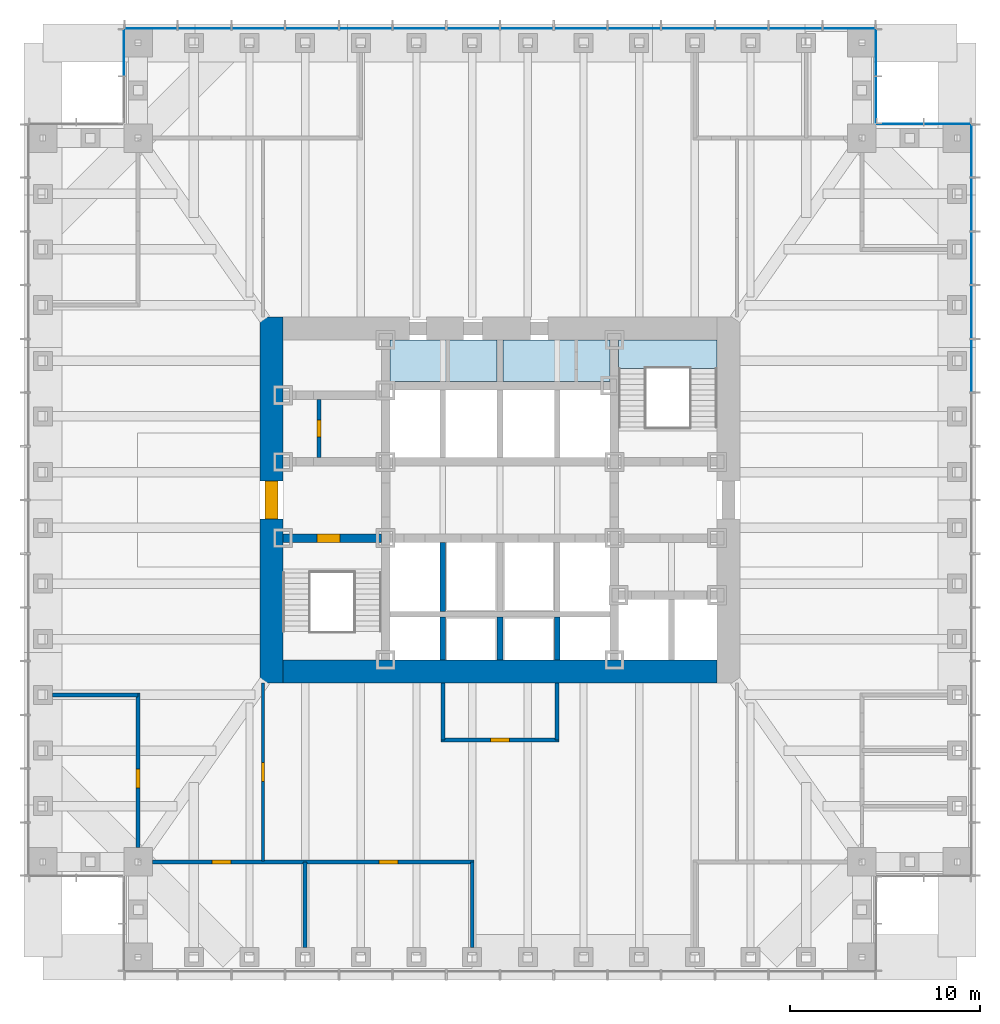
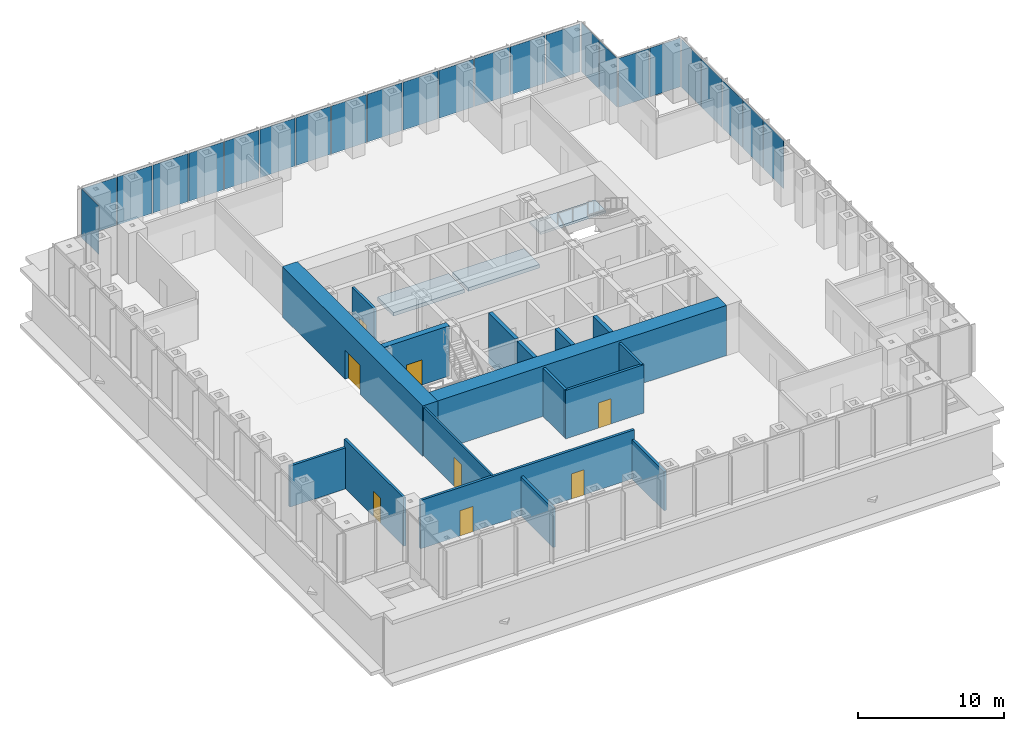
# One storey, part 8 of 16: 24 plates, 17 walls, 8 doors, 3 slabs, 8 openings, 6 elements without a shape of their own.
"""IFC4 building model written with IfcOpenShell, lengths in metres."""

from ifc_helpers import new_model, si_unit, direction, frame, frame_2d, origin, origin_2d, place, context, subcontext, project, spatial, polyline, rectangle, outline, extrude, material, layer, layer_set, type_object, element, fill, aggregate, save


model = new_model("IFC4")

# Units and contexts
model_context = context("Model", 3, precision=1e-05, world=origin(), true_north=direction((0.0, 1.0)))
body_context = subcontext(model_context, "Body", "Model", "MODEL_VIEW")
ifc_project = project(units=[si_unit("LENGTHUNIT", "METRE"), si_unit("AREAUNIT", "SQUARE_METRE"), si_unit("VOLUMEUNIT", "CUBIC_METRE"), si_unit("PLANEANGLEUNIT", "RADIAN"), si_unit("MASSUNIT", "GRAM", prefix="KILO")], contexts=[model_context])

# Site, building, storey
site_placement = place(None, origin())
site = spatial("IfcSite", under=ifc_project, at=site_placement, CompositionType="ELEMENT")
building_placement = place(site_placement, origin())
building = spatial("IfcBuilding", under=site, at=building_placement, Name="Daluyong Arena Tower", CompositionType="ELEMENT")
storey_placement = place(building_placement, frame((0.0, 0.0, 34.89990234375)))
storey = spatial("IfcBuildingStorey", under=building, at=storey_placement, Name="L06", CompositionType="ELEMENT", Elevation=34.89990234375)

# Curtain wall, plates
ifc_material_1 = material(Name="Bronze anodised aluminium and glass", Category="aluminium")
curtain_wall_type_1 = type_object("IfcCurtainWallType", Name="Curtain wall CW1", PredefinedType="USERDEFINED", material=ifc_material_1)
curtain_wall_1_placement = place(storey_placement, origin())
curtain_wall_1 = element("IfcCurtainWall", 1, at=curtain_wall_1_placement, inside=storey, type_object=curtain_wall_type_1, Name="curtain wall L06 E", ObjectType="UNITISED CURTAIN WALL", PredefinedType="USERDEFINED")
ifc_material_2 = material(Name="Tinted double glazed unit", Category="glass")
ifc_layer_1 = layer(ifc_material_2, 0.031982421875)
ifc_layer_set_1 = layer_set([ifc_layer_1], Name="Tinted double glazed unit")
plate_type_1 = type_object("IfcPlateType", Name="CW1 panel 32", PredefinedType="CURTAIN_PANEL", material=ifc_layer_set_1)
plate_1_placement = place(storey_placement, frame((80.75, 87.053466796875, 0.0), z_axis=(0.0, 0.0, 1.0), x_axis=(0.0, 1.0, 0.0)))
plate_1 = element("IfcPlate", 2, at=plate_1_placement, type_object=plate_type_1, Name="curtain wall L06 E panel 10", PredefinedType="CURTAIN_PANEL", context=body_context, shape_type="SweptSolid", body=[
    extrude(rectangle(XDim=2.741455078125, YDim=0.031982421875, at=origin_2d()), origin(), (0.0, 0.0, 1.0), 4.0),
])
plate_2_placement = place(storey_placement, frame((80.75, 89.875, 0.0), z_axis=(0.0, 0.0, 1.0), x_axis=(0.0, 1.0, 0.0)))
plate_2 = element("IfcPlate", 3, at=plate_2_placement, type_object=plate_type_1, Name="curtain wall L06 E panel 11", PredefinedType="CURTAIN_PANEL", context=body_context, shape_type="SweptSolid", body=[
    extrude(rectangle(XDim=2.741455078125, YDim=0.031982421875, at=origin_2d()), origin(), (0.0, 0.0, 1.0), 4.0),
])
plate_3_placement = place(storey_placement, frame((80.75, 92.696533203125, 0.0), z_axis=(0.0, 0.0, 1.0), x_axis=(0.0, 1.0, 0.0)))
plate_3 = element("IfcPlate", 4, at=plate_3_placement, type_object=plate_type_1, Name="curtain wall L06 E panel 12", PredefinedType="CURTAIN_PANEL", context=body_context, shape_type="SweptSolid", body=[
    extrude(rectangle(XDim=2.741455078125, YDim=0.031982421875, at=origin_2d()), origin(), (0.0, 0.0, 1.0), 4.0),
])
plate_4_placement = place(storey_placement, frame((80.75, 95.517822265625, 0.0), z_axis=(0.0, 0.0, 1.0), x_axis=(0.0, 1.0, 0.0)))
plate_4 = element("IfcPlate", 5, at=plate_4_placement, type_object=plate_type_1, Name="curtain wall L06 E panel 13", PredefinedType="CURTAIN_PANEL", context=body_context, shape_type="SweptSolid", body=[
    extrude(rectangle(XDim=2.741455078125, YDim=0.031982421875, at=origin_2d()), origin(), (0.0, 0.0, 1.0), 4.0),
])
plate_5_placement = place(storey_placement, frame((80.75, 98.3193359375, 0.0), z_axis=(0.0, 0.0, 1.0), x_axis=(0.0, 1.0, 0.0)))
plate_5 = element("IfcPlate", 6, at=plate_5_placement, type_object=plate_type_1, Name="curtain wall L06 E panel 14", PredefinedType="CURTAIN_PANEL", context=body_context, shape_type="SweptSolid", body=[
    extrude(rectangle(XDim=2.701416015625, YDim=0.031982421875, at=origin_2d()), origin(), (0.0, 0.0, 1.0), 4.0),
])
aggregate(curtain_wall_1, [plate_1, plate_2, plate_3, plate_4, plate_5])

curtain_wall_2_placement = place(storey_placement, origin())
curtain_wall_2 = element("IfcCurtainWall", 7, at=curtain_wall_2_placement, inside=storey, type_object=curtain_wall_type_1, Name="curtain wall L06 N", ObjectType="UNITISED CURTAIN WALL", PredefinedType="USERDEFINED")
plate_6_placement = place(storey_placement, frame((74.3193359375, 104.75, 0.0), z_axis=(0.0, 0.0, 1.0), x_axis=(-1.0, 0.0, 0.0)))
plate_6 = element("IfcPlate", 8, at=plate_6_placement, type_object=plate_type_1, Name="curtain wall L06 N panel 1", PredefinedType="CURTAIN_PANEL", context=body_context, shape_type="SweptSolid", body=[
    extrude(rectangle(XDim=2.701416015625, YDim=0.031982421875, at=origin_2d()), origin(), (0.0, 0.0, 1.0), 4.0),
])
plate_7_placement = place(storey_placement, frame((71.517822265625, 104.75, 0.0), z_axis=(0.0, 0.0, 1.0), x_axis=(-1.0, 0.0, 0.0)))
plate_7 = element("IfcPlate", 9, at=plate_7_placement, type_object=plate_type_1, Name="curtain wall L06 N panel 2", PredefinedType="CURTAIN_PANEL", context=body_context, shape_type="SweptSolid", body=[
    extrude(rectangle(XDim=2.741455078125, YDim=0.031982421875, at=origin_2d()), origin(), (0.0, 0.0, 1.0), 4.0),
])
plate_8_placement = place(storey_placement, frame((68.696533203125, 104.75, 0.0), z_axis=(0.0, 0.0, 1.0), x_axis=(-1.0, 0.0, 0.0)))
plate_8 = element("IfcPlate", 10, at=plate_8_placement, type_object=plate_type_1, Name="curtain wall L06 N panel 3", PredefinedType="CURTAIN_PANEL", context=body_context, shape_type="SweptSolid", body=[
    extrude(rectangle(XDim=2.741455078125, YDim=0.031982421875, at=origin_2d()), origin(), (0.0, 0.0, 1.0), 4.0),
])
plate_9_placement = place(storey_placement, frame((65.875, 104.75, 0.0), z_axis=(0.0, 0.0, 1.0), x_axis=(-1.0, 0.0, 0.0)))
plate_9 = element("IfcPlate", 11, at=plate_9_placement, type_object=plate_type_1, Name="curtain wall L06 N panel 4", PredefinedType="CURTAIN_PANEL", context=body_context, shape_type="SweptSolid", body=[
    extrude(rectangle(XDim=2.741455078125, YDim=0.031982421875, at=origin_2d()), origin(), (0.0, 0.0, 1.0), 4.0),
])
plate_10_placement = place(storey_placement, frame((63.053466796875, 104.75, 0.0), z_axis=(0.0, 0.0, 1.0), x_axis=(-1.0, 0.0, 0.0)))
plate_10 = element("IfcPlate", 12, at=plate_10_placement, type_object=plate_type_1, Name="curtain wall L06 N panel 5", PredefinedType="CURTAIN_PANEL", context=body_context, shape_type="SweptSolid", body=[
    extrude(rectangle(XDim=2.741455078125, YDim=0.031982421875, at=origin_2d()), origin(), (0.0, 0.0, 1.0), 4.0),
])
plate_11_placement = place(storey_placement, frame((60.232177734375, 104.75, 0.0), z_axis=(0.0, 0.0, 1.0), x_axis=(-1.0, 0.0, 0.0)))
plate_11 = element("IfcPlate", 13, at=plate_11_placement, type_object=plate_type_1, Name="curtain wall L06 N panel 6", PredefinedType="CURTAIN_PANEL", context=body_context, shape_type="SweptSolid", body=[
    extrude(rectangle(XDim=2.741455078125, YDim=0.031982421875, at=origin_2d()), origin(), (0.0, 0.0, 1.0), 4.0),
])
plate_12_placement = place(storey_placement, frame((57.41064453125, 104.75, 0.0), z_axis=(0.0, 0.0, 1.0), x_axis=(-1.0, 0.0, 0.0)))
plate_12 = element("IfcPlate", 14, at=plate_12_placement, type_object=plate_type_1, Name="curtain wall L06 N panel 7", PredefinedType="CURTAIN_PANEL", context=body_context, shape_type="SweptSolid", body=[
    extrude(rectangle(XDim=2.741455078125, YDim=0.031982421875, at=origin_2d()), origin(), (0.0, 0.0, 1.0), 4.0),
])
plate_13_placement = place(storey_placement, frame((54.58935546875, 104.75, 0.0), z_axis=(0.0, 0.0, 1.0), x_axis=(-1.0, 0.0, 0.0)))
plate_13 = element("IfcPlate", 15, at=plate_13_placement, type_object=plate_type_1, Name="curtain wall L06 N panel 8", PredefinedType="CURTAIN_PANEL", context=body_context, shape_type="SweptSolid", body=[
    extrude(rectangle(XDim=2.741455078125, YDim=0.031982421875, at=origin_2d()), origin(), (0.0, 0.0, 1.0), 4.0),
])
plate_14_placement = place(storey_placement, frame((51.767822265625, 104.75, 0.0), z_axis=(0.0, 0.0, 1.0), x_axis=(-1.0, 0.0, 0.0)))
plate_14 = element("IfcPlate", 16, at=plate_14_placement, type_object=plate_type_1, Name="curtain wall L06 N panel 9", PredefinedType="CURTAIN_PANEL", context=body_context, shape_type="SweptSolid", body=[
    extrude(rectangle(XDim=2.741455078125, YDim=0.031982421875, at=origin_2d()), origin(), (0.0, 0.0, 1.0), 4.0),
])
plate_15_placement = place(storey_placement, frame((48.946533203125, 104.75, 0.0), z_axis=(0.0, 0.0, 1.0), x_axis=(-1.0, 0.0, 0.0)))
plate_15 = element("IfcPlate", 17, at=plate_15_placement, type_object=plate_type_1, Name="curtain wall L06 N panel 10", PredefinedType="CURTAIN_PANEL", context=body_context, shape_type="SweptSolid", body=[
    extrude(rectangle(XDim=2.741455078125, YDim=0.031982421875, at=origin_2d()), origin(), (0.0, 0.0, 1.0), 4.0),
])
plate_16_placement = place(storey_placement, frame((46.125, 104.75, 0.0), z_axis=(0.0, 0.0, 1.0), x_axis=(-1.0, 0.0, 0.0)))
plate_16 = element("IfcPlate", 18, at=plate_16_placement, type_object=plate_type_1, Name="curtain wall L06 N panel 11", PredefinedType="CURTAIN_PANEL", context=body_context, shape_type="SweptSolid", body=[
    extrude(rectangle(XDim=2.741455078125, YDim=0.031982421875, at=origin_2d()), origin(), (0.0, 0.0, 1.0), 4.0),
])
plate_17_placement = place(storey_placement, frame((43.303466796875, 104.75, 0.0), z_axis=(0.0, 0.0, 1.0), x_axis=(-1.0, 0.0, 0.0)))
plate_17 = element("IfcPlate", 19, at=plate_17_placement, type_object=plate_type_1, Name="curtain wall L06 N panel 12", PredefinedType="CURTAIN_PANEL", context=body_context, shape_type="SweptSolid", body=[
    extrude(rectangle(XDim=2.741455078125, YDim=0.031982421875, at=origin_2d()), origin(), (0.0, 0.0, 1.0), 4.0),
])
plate_18_placement = place(storey_placement, frame((40.482177734375, 104.75, 0.0), z_axis=(0.0, 0.0, 1.0), x_axis=(-1.0, 0.0, 0.0)))
plate_18 = element("IfcPlate", 20, at=plate_18_placement, type_object=plate_type_1, Name="curtain wall L06 N panel 13", PredefinedType="CURTAIN_PANEL", context=body_context, shape_type="SweptSolid", body=[
    extrude(rectangle(XDim=2.741455078125, YDim=0.031982421875, at=origin_2d()), origin(), (0.0, 0.0, 1.0), 4.0),
])
plate_19_placement = place(storey_placement, frame((37.6806640625, 104.75, 0.0), z_axis=(0.0, 0.0, 1.0), x_axis=(-1.0, 0.0, 0.0)))
plate_19 = element("IfcPlate", 21, at=plate_19_placement, type_object=plate_type_1, Name="curtain wall L06 N panel 14", PredefinedType="CURTAIN_PANEL", context=body_context, shape_type="SweptSolid", body=[
    extrude(rectangle(XDim=2.701416015625, YDim=0.031982421875, at=origin_2d()), origin(), (0.0, 0.0, 1.0), 4.0),
])
aggregate(curtain_wall_2, [plate_6, plate_7, plate_8, plate_9, plate_10, plate_11, plate_12, plate_13, plate_14, plate_15, plate_16, plate_17, plate_18, plate_19])

ifc_material_3 = material(Name="Bronze anodised aluminium and glass", Category="aluminium")
curtain_wall_type_2 = type_object("IfcCurtainWallType", Name="Curtain wall CW7", PredefinedType="USERDEFINED", material=ifc_material_3)
curtain_wall_3_placement = place(storey_placement, origin())
curtain_wall_3 = element("IfcCurtainWall", 22, at=curtain_wall_3_placement, inside=storey, type_object=curtain_wall_type_2, Name="curtain wall L06 NE-N", ObjectType="UNITISED CURTAIN WALL", PredefinedType="USERDEFINED")
ifc_material_4 = material(Name="Tinted double glazed unit", Category="glass")
ifc_layer_2 = layer(ifc_material_4, 0.028076171875)
ifc_layer_set_2 = layer_set([ifc_layer_2], Name="Tinted double glazed unit")
plate_type_2 = type_object("IfcPlateType", Name="CW7 panel 28", PredefinedType="CURTAIN_PANEL", material=ifc_layer_set_2)
plate_20_placement = place(storey_placement, frame((79.485107421875, 99.75, 0.0), z_axis=(0.0, 0.0, 1.0), x_axis=(-1.0, 0.0, 0.0)))
plate_20 = element("IfcPlate", 23, at=plate_20_placement, type_object=plate_type_2, Name="curtain wall L06 NE-N panel 1", PredefinedType="CURTAIN_PANEL", context=body_context, shape_type="SweptSolid", body=[
    extrude(rectangle(XDim=2.409912109375, YDim=0.028076171875, at=origin_2d()), origin(), (0.0, 0.0, 1.0), 4.080078125),
])
plate_21_placement = place(storey_placement, frame((77.014892578125, 99.75, 0.0), z_axis=(0.0, 0.0, 1.0), x_axis=(-1.0, 0.0, 0.0)))
plate_21 = element("IfcPlate", 24, at=plate_21_placement, type_object=plate_type_2, Name="curtain wall L06 NE-N panel 2", PredefinedType="CURTAIN_PANEL", context=body_context, shape_type="SweptSolid", body=[
    extrude(rectangle(XDim=2.409912109375, YDim=0.028076171875, at=origin_2d()), origin(), (0.0, 0.0, 1.0), 4.080078125),
])
aggregate(curtain_wall_3, [plate_20, plate_21])

curtain_wall_4_placement = place(storey_placement, origin())
curtain_wall_4 = element("IfcCurtainWall", 25, at=curtain_wall_4_placement, inside=storey, type_object=curtain_wall_type_2, Name="curtain wall L06 NE-E", ObjectType="UNITISED CURTAIN WALL", PredefinedType="USERDEFINED")
plate_22_placement = place(storey_placement, frame((75.75, 101.014892578125, 0.0), z_axis=(0.0, 0.0, 1.0), x_axis=(0.0, 1.0, 0.0)))
plate_22 = element("IfcPlate", 26, at=plate_22_placement, type_object=plate_type_2, Name="curtain wall L06 NE-E panel 1", PredefinedType="CURTAIN_PANEL", context=body_context, shape_type="SweptSolid", body=[
    extrude(rectangle(XDim=2.409912109375, YDim=0.028076171875, at=origin_2d()), origin(), (0.0, 0.0, 1.0), 4.080078125),
])
plate_23_placement = place(storey_placement, frame((75.75, 103.485107421875, 0.0), z_axis=(0.0, 0.0, 1.0), x_axis=(0.0, 1.0, 0.0)))
plate_23 = element("IfcPlate", 27, at=plate_23_placement, type_object=plate_type_2, Name="curtain wall L06 NE-E panel 2", PredefinedType="CURTAIN_PANEL", context=body_context, shape_type="SweptSolid", body=[
    extrude(rectangle(XDim=2.409912109375, YDim=0.028076171875, at=origin_2d()), origin(), (0.0, 0.0, 1.0), 4.080078125),
])
aggregate(curtain_wall_4, [plate_22, plate_23])

# Curtain wall, plate
curtain_wall_5_placement = place(storey_placement, origin())
curtain_wall_5 = element("IfcCurtainWall", 28, at=curtain_wall_5_placement, inside=storey, type_object=curtain_wall_type_2, Name="curtain wall L06 NW-W", ObjectType="UNITISED CURTAIN WALL", PredefinedType="USERDEFINED")
plate_24_placement = place(storey_placement, frame((36.25, 103.485107421875, 0.0), z_axis=(0.0, 0.0, 1.0), x_axis=(0.0, -1.0, 0.0)))
plate_24 = element("IfcPlate", 29, at=plate_24_placement, type_object=plate_type_2, Name="curtain wall L06 NW-W panel 1", PredefinedType="CURTAIN_PANEL", context=body_context, shape_type="SweptSolid", body=[
    extrude(rectangle(XDim=2.409912109375, YDim=0.028076171875, at=origin_2d()), origin(), (0.0, 0.0, 1.0), 4.080078125),
])
aggregate(curtain_wall_5, [plate_24])

# Stair, slab
ifc_material_5 = material(Name="Concrete fc' 35 MPa", Category="concrete")
stair_type = type_object("IfcStairType", Name="Core exit stair", PredefinedType="HALF_TURN_STAIR", material=ifc_material_5)
stair_placement = place(storey_placement, origin())
stair = element("IfcStair", 30, at=stair_placement, inside=storey, type_object=stair_type, Name="exit stair B L06", PredefinedType="HALF_TURN_STAIR")
ifc_material_6 = material(Name="Concrete fc' 35 MPa", Category="concrete")
ifc_layer_3 = layer(ifc_material_6, 0.199951171875)
ifc_layer_set_3 = layer_set([ifc_layer_3], Name="Concrete fc' 35 MPa")
slab_type_1 = type_object("IfcSlabType", Name="Stair landing 200", PredefinedType="LANDING", material=ifc_layer_set_3)
slab_1_placement = place(storey_placement, frame((0.0, 0.0, 1.900146484375)))
slab_1 = element("IfcSlab", 31, at=slab_1_placement, type_object=slab_type_1, Name="STB landing 1", PredefinedType="LANDING", context=body_context, shape_type="SweptSolid", body=[
    extrude(outline(polyline([(62.22509765625, 86.905029296875), (67.39990234375, 86.905029296875), (67.39990234375, 88.39990234375), (62.22509765625, 88.39990234375), (62.22509765625, 86.905029296875)])), origin(), (0.0, 0.0, 1.0), 0.199951171875),
])
aggregate(stair, [slab_1])

# Slabs
ifc_material_7 = material(Name="Concrete fc' 35 MPa", Category="concrete")
ifc_layer_4 = layer(ifc_material_7, 0.300048828125)
ifc_layer_set_4 = layer_set([ifc_layer_4], Name="Concrete fc' 35 MPa")
slab_type_2 = type_object("IfcSlabType", Name="Transfer floor slab 300", PredefinedType="FLOOR", material=ifc_layer_set_4)
slab_2_placement = place(storey_placement, frame((0.0, 0.0, -0.2998046875)))
element("IfcSlab", 32, at=slab_2_placement, inside=storey, type_object=slab_type_2, Name="floor L06 part 5", PredefinedType="FLOOR", context=body_context, shape_type="SweptSolid", body=[
    extrude(outline(polyline([(50.22509765625, 88.39990234375), (50.22509765625, 86.22509765625), (55.85009765625, 86.22509765625), (55.85009765625, 88.39990234375), (50.22509765625, 88.39990234375)])), origin(), (0.0, 0.0, 1.0), 0.2998046875),
])
slab_3_placement = place(storey_placement, frame((0.0, 0.0, -0.2998046875)))
element("IfcSlab", 33, at=slab_3_placement, inside=storey, type_object=slab_type_2, Name="floor L06 part 12", PredefinedType="FLOOR", context=body_context, shape_type="SweptSolid", body=[
    extrude(outline(polyline([(56.14990234375, 86.22509765625), (61.77490234375, 86.22509765625), (61.77490234375, 88.39990234375), (56.14990234375, 88.39990234375), (56.14990234375, 86.22509765625)])), origin(), (0.0, 0.0, 1.0), 0.2998046875),
])

# Wall, opening, door
ifc_material_8 = material(Name="Concrete fc' 45 MPa", Category="concrete")
ifc_layer_5 = layer(ifc_material_8, 0.449951171875)
ifc_layer_set_5 = layer_set([ifc_layer_5], Name="Concrete fc' 45 MPa")
wall_type_1 = type_object("IfcWallType", Name="Core inner wall 450", PredefinedType="SHEAR", material=ifc_layer_set_5)
wall_1_placement = place(storey_placement, frame((44.60009765625, 78.0, 0.0), z_axis=(0.0, 0.0, 1.0), x_axis=(1.0, 0.0, 0.0)))
wall_1 = element("IfcWall", 34, at=wall_1_placement, inside=storey, type_object=wall_type_1, Name="core inner wall at L06", PredefinedType="SHEAR", context=body_context, shape_type="SweptSolid", body=[
    extrude(rectangle(XDim=5.1748046875, YDim=0.449951171875, at=frame_2d((2.58740234375, 0.0))), origin(), (0.0, 0.0, 1.0), 4.2001953125),
])
opening_1_placement = place(wall_1_placement, frame((1.800048828125, 0.0, 0.0)))
opening_1 = element("IfcOpeningElement", 35, at=opening_1_placement, cuts=wall_1, Name="Opening 06008", PredefinedType="OPENING", context=body_context, shape_type="SweptSolid", body=[
    extrude(rectangle(XDim=1.199951171875, YDim=2.10009765625, at=frame_2d((0.60009765625, 1.050048828125))), frame((0.0, 0.23486328125, 0.0), z_axis=(0.0, -1.0, 0.0), x_axis=(1.0, 0.0, 0.0)), (0.0, 0.0, 1.0), 0.469970703125),
])
ifc_material_9 = material(Name="Steel door, fire rated", Category="steel")
door_type_1 = type_object("IfcDoorType", Name="Stair door 1200", OperationType="SINGLE_SWING_LEFT", PredefinedType="DOOR", material=ifc_material_9)
door_1_placement = place(opening_1_placement, origin())
door_1 = element("IfcDoor", 36, at=door_1_placement, inside=storey, type_object=door_type_1, Name="stair A door 06008", OperationType="SINGLE_SWING_LEFT", OverallHeight=2.10009765625, OverallWidth=1.199951171875, PredefinedType="DOOR", context=body_context, shape_type="SweptSolid", body=[
    extrude(rectangle(XDim=1.199951171875, YDim=2.10009765625, at=frame_2d((0.60009765625, 1.050048828125))), frame((0.0, 0.224609375, 0.0), z_axis=(0.0, -1.0, 0.0), x_axis=(1.0, 0.0, 0.0)), (0.0, 0.0, 1.0), 0.449462890625),
])
fill(opening_1, door_1)

ifc_material_10 = material(Name="Concrete fc' 60 MPa", Category="concrete")
ifc_layer_6 = layer(ifc_material_10, 1.199951171875)
ifc_layer_set_6 = layer_set([ifc_layer_6], Name="Concrete fc' 60 MPa")
wall_type_2 = type_object("IfcWallType", Name="Core wall 1200", PredefinedType="SHEAR", material=ifc_layer_set_6)
wall_2_placement = place(storey_placement, frame((44.0, 70.39990234375, 0.0), z_axis=(0.0, 0.0, 1.0), x_axis=(0.0, 1.0, 0.0)))
wall_2 = element("IfcWall", 37, at=wall_2_placement, inside=storey, type_object=wall_type_2, Name="core wall at L06", PredefinedType="SHEAR", context=body_context, shape_type="SweptSolid", body=[
    extrude(rectangle(XDim=19.2001953125, YDim=1.199951171875, at=frame_2d((9.60009765625, 0.0))), origin(), (0.0, 0.0, 1.0), 4.2001953125),
])
opening_2_placement = place(wall_2_placement, frame((8.60009765625, 0.0, 0.0)))
opening_2 = element("IfcOpeningElement", 38, at=opening_2_placement, cuts=wall_2, Name="Opening 06010", PredefinedType="OPENING", context=body_context, shape_type="SweptSolid", body=[
    extrude(rectangle(XDim=2.0, YDim=2.39990234375, at=frame_2d((1.0, 1.199951171875))), frame((0.0, 0.60986328125, 0.0), z_axis=(0.0, -1.0, 0.0), x_axis=(1.0, 0.0, 0.0)), (0.0, 0.0, 1.0), 1.219970703125),
])
ifc_material_11 = material(Name="Steel door, fire rated", Category="steel")
door_type_2 = type_object("IfcDoorType", Name="Core lobby double door 2000", OperationType="DOUBLE_DOOR_SINGLE_SWING", PredefinedType="DOOR", material=ifc_material_11)
door_2_placement = place(opening_2_placement, origin())
door_2 = element("IfcDoor", 39, at=door_2_placement, inside=storey, type_object=door_type_2, Name="core lobby door west 06010", OperationType="DOUBLE_DOOR_SINGLE_SWING", OverallHeight=2.39990234375, OverallWidth=2.0, PredefinedType="DOOR", context=body_context, shape_type="SweptSolid", body=[
    extrude(rectangle(XDim=2.0, YDim=2.39990234375, at=frame_2d((1.0, 1.199951171875))), frame((0.0, 0.35009765625, 0.0), z_axis=(0.0, -1.0, 0.0), x_axis=(1.0, 0.0, 0.0)), (0.0, 0.0, 1.0), 0.699951171875),
])
fill(opening_2, door_2)

# Wall
wall_3_placement = place(storey_placement, frame((44.60009765625, 71.0, 0.0), z_axis=(0.0, 0.0, 1.0), x_axis=(1.0, 0.0, 0.0)))
element("IfcWall", 40, at=wall_3_placement, inside=storey, type_object=wall_type_2, Name="core wall at L06", PredefinedType="SHEAR", context=body_context, shape_type="SweptSolid", body=[
    extrude(rectangle(XDim=22.7998046875, YDim=1.199951171875, at=frame_2d((11.39990234375, 0.0))), origin(), (0.0, 0.0, 1.0), 4.2001953125),
])

# Wall, opening, door
ifc_material_12 = material(Name="Concrete block partition, fire rated", Category="concrete")
ifc_layer_7 = layer(ifc_material_12, 0.199951171875)
ifc_layer_set_7 = layer_set([ifc_layer_7], Name="Concrete block partition, fire rated")
wall_type_3 = type_object("IfcWallType", Name="Fire-rated partition 200", PredefinedType="PARTITIONING", material=ifc_layer_set_7)
wall_4_placement = place(storey_placement, frame((46.5, 82.22509765625, 0.0), z_axis=(0.0, 0.0, 1.0), x_axis=(0.0, 1.0, 0.0)))
wall_4 = element("IfcWall", 41, at=wall_4_placement, inside=storey, type_object=wall_type_3, Name="toilet lobby partition at L06", PredefinedType="PARTITIONING", context=body_context, shape_type="SweptSolid", body=[
    extrude(rectangle(XDim=3.0498046875, YDim=0.199951171875, at=frame_2d((1.52490234375, 0.0))), origin(), (0.0, 0.0, 1.0), 4.0400390625),
])
opening_3_placement = place(wall_4_placement, frame((1.074951171875, 0.0, 0.0)))
opening_3 = element("IfcOpeningElement", 42, at=opening_3_placement, cuts=wall_4, Name="Opening 06002", PredefinedType="OPENING", context=body_context, shape_type="SweptSolid", body=[
    extrude(rectangle(XDim=0.89990234375, YDim=2.10009765625, at=frame_2d((0.449951171875, 1.050048828125))), frame((0.0, 0.10986328125, 0.0), z_axis=(0.0, -1.0, 0.0), x_axis=(1.0, 0.0, 0.0)), (0.0, 0.0, 1.0), 0.219970703125),
])
ifc_material_13 = material(Name="Timber door", Category="wood")
door_type_3 = type_object("IfcDoorType", Name="Toilet door 900", OperationType="SINGLE_SWING_RIGHT", PredefinedType="DOOR", material=ifc_material_13)
door_3_placement = place(opening_3_placement, origin())
door_3 = element("IfcDoor", 43, at=door_3_placement, inside=storey, type_object=door_type_3, Name="male toilet door 06002", OperationType="SINGLE_SWING_RIGHT", OverallHeight=2.10009765625, OverallWidth=0.89990234375, PredefinedType="DOOR", context=body_context, shape_type="SweptSolid", body=[
    extrude(rectangle(XDim=0.89990234375, YDim=2.10009765625, at=frame_2d((0.449951171875, 1.050048828125))), frame((0.0, 0.099609375, 0.0), z_axis=(0.0, -1.0, 0.0), x_axis=(1.0, 0.0, 0.0)), (0.0, 0.0, 1.0), 0.199462890625),
])
fill(opening_3, door_3)

ifc_material_14 = material(Name="Glazed aluminium partition", Category="aluminium")
ifc_layer_8 = layer(ifc_material_14, 0.14990234375)
ifc_layer_set_8 = layer_set([ifc_layer_8], Name="Glazed aluminium partition")
wall_type_4 = type_object("IfcWallType", Name="Glazed partition 150", PredefinedType="PARTITIONING", material=ifc_layer_set_8)
wall_5_placement = place(storey_placement, frame((43.550048828125, 61.050048828125, 0.0), z_axis=(0.0, 0.0, 1.0), x_axis=(0.0, 1.0, 0.0)))
wall_5 = element("IfcWall", 44, at=wall_5_placement, inside=storey, type_object=wall_type_4, Name="glazed partition at L06", PredefinedType="PARTITIONING", context=body_context, shape_type="SweptSolid", body=[
    extrude(rectangle(XDim=9.349853515625, YDim=0.14990234375, at=frame_2d((4.6748046875, 0.0))), origin(), (0.0, 0.0, 1.0), 4.0400390625),
])
opening_4_placement = place(wall_5_placement, frame((4.175048828125, 0.0, 0.0)))
opening_4 = element("IfcOpeningElement", 45, at=opening_4_placement, cuts=wall_5, Name="Opening 06034", PredefinedType="OPENING", context=body_context, shape_type="SweptSolid", body=[
    extrude(rectangle(XDim=1.0, YDim=2.39990234375, at=frame_2d((0.5, 1.199951171875))), frame((0.0, 0.0849609375, 0.0), z_axis=(0.0, -1.0, 0.0), x_axis=(1.0, 0.0, 0.0)), (0.0, 0.0, 1.0), 0.169921875),
])
ifc_material_15 = material(Name="Glazed aluminium door", Category="aluminium")
door_type_4 = type_object("IfcDoorType", Name="Meeting room glazed door 1000", OperationType="SINGLE_SWING_RIGHT", PredefinedType="DOOR", material=ifc_material_15)
door_4_placement = place(opening_4_placement, origin())
door_4 = element("IfcDoor", 46, at=door_4_placement, inside=storey, type_object=door_type_4, Name="team area screen door 06034", OperationType="SINGLE_SWING_RIGHT", OverallHeight=2.39990234375, OverallWidth=1.0, PredefinedType="DOOR", context=body_context, shape_type="SweptSolid", body=[
    extrude(rectangle(XDim=1.0, YDim=2.39990234375, at=frame_2d((0.5, 1.199951171875))), frame((0.0, 0.07470703125, 0.0), z_axis=(0.0, -1.0, 0.0), x_axis=(1.0, 0.0, 0.0)), (0.0, 0.0, 1.0), 0.1494140625),
])
fill(opening_4, door_4)

# Walls
ifc_material_16 = material(Name="Concrete fc' 45 MPa", Category="concrete")
ifc_layer_9 = layer(ifc_material_16, 0.300048828125)
ifc_layer_set_9 = layer_set([ifc_layer_9], Name="Concrete fc' 45 MPa")
wall_type_5 = type_object("IfcWallType", Name="Lift shaft wall 300", PredefinedType="SHEAR", material=ifc_layer_set_9)
wall_6_placement = place(storey_placement, frame((53.0, 71.60009765625, 0.0), z_axis=(0.0, 0.0, 1.0), x_axis=(0.0, 1.0, 0.0)))
element("IfcWall", 47, at=wall_6_placement, inside=storey, type_object=wall_type_5, Name="lift shaft wall at L06", PredefinedType="SHEAR", context=body_context, shape_type="SweptSolid", body=[
    extrude(rectangle(XDim=2.25, YDim=0.300048828125, at=frame_2d((1.125, 0.0))), origin(), (0.0, 0.0, 1.0), 4.2001953125),
])
wall_7_placement = place(storey_placement, frame((53.0, 74.14990234375, 0.0), z_axis=(0.0, 0.0, 1.0), x_axis=(0.0, 1.0, 0.0)))
element("IfcWall", 48, at=wall_7_placement, inside=storey, type_object=wall_type_5, Name="lift shaft wall at L06", PredefinedType="SHEAR", context=body_context, shape_type="SweptSolid", body=[
    extrude(rectangle(XDim=3.625, YDim=0.300048828125, at=frame_2d((1.8125, 0.0))), origin(), (0.0, 0.0, 1.0), 4.2001953125),
])
for number, where, z_axis, x_axis, name in (
    (49, (56.0, 71.60009765625, 0.0), (0.0, 0.0, 1.0), (0.0, 1.0, 0.0), "lift shaft wall at L06"),
    (50, (59.0, 71.60009765625, 0.0), (0.0, 0.0, 1.0), (0.0, 1.0, 0.0), "lift shaft wall at L06"),
):
    element("IfcWall", number, at=place(storey_placement, frame(where, z_axis=z_axis, x_axis=x_axis)), inside=storey, type_object=wall_type_5, Name=name, PredefinedType="SHEAR", context=body_context, shape_type="SweptSolid", body=[
        extrude(rectangle(XDim=2.25, YDim=0.300048828125, at=frame_2d((1.125, 0.0))), origin(), (0.0, 0.0, 1.0), 4.2001953125),
    ])
ifc_material_17 = material(Name="Concrete block partition", Category="concrete")
ifc_layer_10 = layer(ifc_material_17, 0.199951171875)
ifc_layer_set_10 = layer_set([ifc_layer_10], Name="Concrete block partition")
wall_type_6 = type_object("IfcWallType", Name="Partition 200", PredefinedType="PARTITIONING", material=ifc_layer_set_10)
for number, where, z_axis, x_axis, name in (
    (51, (45.769287109375, 56.5, 0.0), (0.0, 0.0, 1.0), (0.0, 1.0, 0.0), "partition at L06"),
    (52, (54.53857421875, 56.5, 0.0), (0.0, 0.0, 1.0), (0.0, 1.0, 0.0), "partition at L06"),
):
    element("IfcWall", number, at=place(storey_placement, frame(where, z_axis=z_axis, x_axis=x_axis)), inside=storey, type_object=wall_type_6, Name=name, PredefinedType="PARTITIONING", context=body_context, shape_type="SweptSolid", body=[
        extrude(rectangle(XDim=4.5, YDim=0.199951171875, at=frame_2d((2.25, 0.0))), origin(), (0.0, 0.0, 1.0), 3.278076171875),
    ])
wall_8_placement = place(storey_placement, frame((32.5, 69.769287109375, 0.0), z_axis=(0.0, 0.0, 1.0), x_axis=(1.0, 0.0, 0.0)))
element("IfcWall", 53, at=wall_8_placement, inside=storey, type_object=wall_type_6, Name="partition at L06", PredefinedType="PARTITIONING", context=body_context, shape_type="SweptSolid", body=[
    extrude(rectangle(XDim=4.5, YDim=0.199951171875, at=frame_2d((2.25, 0.0))), origin(), (0.0, 0.0, 1.0), 3.427978515625),
])
for number, where, z_axis, x_axis, name in (
    (54, (53.0, 67.39990234375, 0.0), (0.0, 0.0, 1.0), (0.0, 1.0, 0.0), "partition at L06"),
    (55, (59.0, 67.39990234375, 0.0), (0.0, 0.0, 1.0), (0.0, 1.0, 0.0), "partition at L06"),
):
    element("IfcWall", number, at=place(storey_placement, frame(where, z_axis=z_axis, x_axis=x_axis)), inside=storey, type_object=wall_type_6, Name=name, PredefinedType="PARTITIONING", context=body_context, shape_type="SweptSolid", body=[
        extrude(rectangle(XDim=3.0, YDim=0.199951171875, at=frame_2d((1.5, 0.0))), origin(), (0.0, 0.0, 1.0), 4.0400390625),
    ])

# Wall, openings, doors
wall_9_placement = place(storey_placement, frame((37.75, 61.0, 0.0), z_axis=(0.0, 0.0, 1.0), x_axis=(1.0, 0.0, 0.0)))
wall_9 = element("IfcWall", 56, at=wall_9_placement, inside=storey, type_object=wall_type_6, Name="partition at L06", PredefinedType="PARTITIONING", context=body_context, shape_type="SweptSolid", body=[
    extrude(rectangle(XDim=16.888427734375, YDim=0.199951171875, at=frame_2d((8.4443359375, 0.0))), origin(), (0.0, 0.0, 1.0), 4.0400390625),
])
opening_5_placement = place(wall_9_placement, frame((3.134521484375, 0.0, 0.0)))
opening_5 = element("IfcOpeningElement", 57, at=opening_5_placement, cuts=wall_9, Name="Opening 06021", PredefinedType="OPENING", context=body_context, shape_type="SweptSolid", body=[
    extrude(rectangle(XDim=1.0, YDim=2.10009765625, at=frame_2d((0.5, 1.050048828125))), frame((0.0, 0.10986328125, 0.0), z_axis=(0.0, -1.0, 0.0), x_axis=(1.0, 0.0, 0.0)), (0.0, 0.0, 1.0), 0.219970703125),
])
opening_6_placement = place(wall_9_placement, frame((11.90380859375, 0.0, 0.0)))
opening_6 = element("IfcOpeningElement", 58, at=opening_6_placement, cuts=wall_9, Name="Opening 06022", PredefinedType="OPENING", context=body_context, shape_type="SweptSolid", body=[
    extrude(rectangle(XDim=1.0, YDim=2.10009765625, at=frame_2d((0.5, 1.050048828125))), frame((0.0, 0.10986328125, 0.0), z_axis=(0.0, -1.0, 0.0), x_axis=(1.0, 0.0, 0.0)), (0.0, 0.0, 1.0), 0.219970703125),
])
ifc_material_18 = material(Name="Timber door", Category="wood")
door_type_5 = type_object("IfcDoorType", Name="Room door 1000", OperationType="SINGLE_SWING_LEFT", PredefinedType="DOOR", material=ifc_material_18)
door_5_placement = place(opening_5_placement, origin())
door_5 = element("IfcDoor", 59, at=door_5_placement, inside=storey, type_object=door_type_5, Name="training room door 06021", OperationType="SINGLE_SWING_LEFT", OverallHeight=2.10009765625, OverallWidth=1.0, PredefinedType="DOOR", context=body_context, shape_type="SweptSolid", body=[
    extrude(rectangle(XDim=1.0, YDim=2.10009765625, at=frame_2d((0.5, 1.050048828125))), frame((0.0, 0.099609375, 0.0), z_axis=(0.0, -1.0, 0.0), x_axis=(1.0, 0.0, 0.0)), (0.0, 0.0, 1.0), 0.199462890625),
])
fill(opening_5, door_5)
door_6_placement = place(opening_6_placement, origin())
door_6 = element("IfcDoor", 60, at=door_6_placement, inside=storey, type_object=door_type_5, Name="training room door 06022", OperationType="SINGLE_SWING_LEFT", OverallHeight=2.10009765625, OverallWidth=1.0, PredefinedType="DOOR", context=body_context, shape_type="SweptSolid", body=[
    extrude(rectangle(XDim=1.0, YDim=2.10009765625, at=frame_2d((0.5, 1.050048828125))), frame((0.0, 0.099609375, 0.0), z_axis=(0.0, -1.0, 0.0), x_axis=(1.0, 0.0, 0.0)), (0.0, 0.0, 1.0), 0.199462890625),
])
fill(opening_6, door_6)

# Wall, opening, door
wall_10_placement = place(storey_placement, frame((52.89990234375, 67.39990234375, 0.0), z_axis=(0.0, 0.0, 1.0), x_axis=(1.0, 0.0, 0.0)))
wall_10 = element("IfcWall", 61, at=wall_10_placement, inside=storey, type_object=wall_type_6, Name="partition at L06", PredefinedType="PARTITIONING", context=body_context, shape_type="SweptSolid", body=[
    extrude(rectangle(XDim=6.2001953125, YDim=0.199951171875, at=frame_2d((3.10009765625, 0.0))), origin(), (0.0, 0.0, 1.0), 4.0400390625),
])
opening_7_placement = place(wall_10_placement, frame((2.60009765625, 0.0, 0.0)))
opening_7 = element("IfcOpeningElement", 62, at=opening_7_placement, cuts=wall_10, Name="Opening 06033", PredefinedType="OPENING", context=body_context, shape_type="SweptSolid", body=[
    extrude(rectangle(XDim=1.0, YDim=2.10009765625, at=frame_2d((0.5, 1.050048828125))), frame((0.0, 0.10986328125, 0.0), z_axis=(0.0, -1.0, 0.0), x_axis=(1.0, 0.0, 0.0)), (0.0, 0.0, 1.0), 0.219970703125),
])
door_7_placement = place(opening_7_placement, origin())
door_7 = element("IfcDoor", 63, at=door_7_placement, inside=storey, type_object=door_type_5, Name="comms room door 06033", OperationType="SINGLE_SWING_LEFT", OverallHeight=2.10009765625, OverallWidth=1.0, PredefinedType="DOOR", context=body_context, shape_type="SweptSolid", body=[
    extrude(rectangle(XDim=1.0, YDim=2.10009765625, at=frame_2d((0.5, 1.050048828125))), frame((0.0, 0.099609375, 0.0), z_axis=(0.0, -1.0, 0.0), x_axis=(1.0, 0.0, 0.0)), (0.0, 0.0, 1.0), 0.199462890625),
])
fill(opening_7, door_7)

wall_11_placement = place(storey_placement, frame((37.0, 61.75, 0.0), z_axis=(0.0, 0.0, 1.0), x_axis=(0.0, 1.0, 0.0)))
wall_11 = element("IfcWall", 64, at=wall_11_placement, inside=storey, type_object=wall_type_6, Name="partition at L06", PredefinedType="PARTITIONING", context=body_context, shape_type="SweptSolid", body=[
    extrude(rectangle(XDim=8.119140625, YDim=0.199951171875, at=frame_2d((4.0595703125, 0.0))), origin(), (0.0, 0.0, 1.0), 4.0400390625),
])
opening_8_placement = place(wall_11_placement, frame((3.134521484375, 0.0, 0.0)))
opening_8 = element("IfcOpeningElement", 65, at=opening_8_placement, cuts=wall_11, Name="Opening 06031", PredefinedType="OPENING", context=body_context, shape_type="SweptSolid", body=[
    extrude(rectangle(XDim=1.0, YDim=2.10009765625, at=frame_2d((0.5, 1.050048828125))), frame((0.0, 0.10986328125, 0.0), z_axis=(0.0, -1.0, 0.0), x_axis=(1.0, 0.0, 0.0)), (0.0, 0.0, 1.0), 0.219970703125),
])
door_8_placement = place(opening_8_placement, origin())
door_8 = element("IfcDoor", 66, at=door_8_placement, inside=storey, type_object=door_type_5, Name="locker room door 06031", OperationType="SINGLE_SWING_LEFT", OverallHeight=2.10009765625, OverallWidth=1.0, PredefinedType="DOOR", context=body_context, shape_type="SweptSolid", body=[
    extrude(rectangle(XDim=1.0, YDim=2.10009765625, at=frame_2d((0.5, 1.050048828125))), frame((0.0, 0.099609375, 0.0), z_axis=(0.0, -1.0, 0.0), x_axis=(1.0, 0.0, 0.0)), (0.0, 0.0, 1.0), 0.199462890625),
])
fill(opening_8, door_8)

save(model, "model.ifc")
